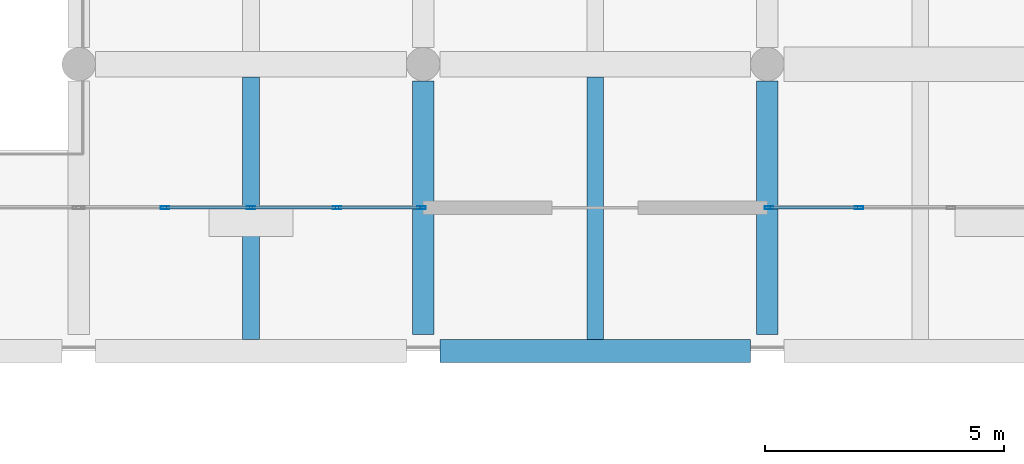
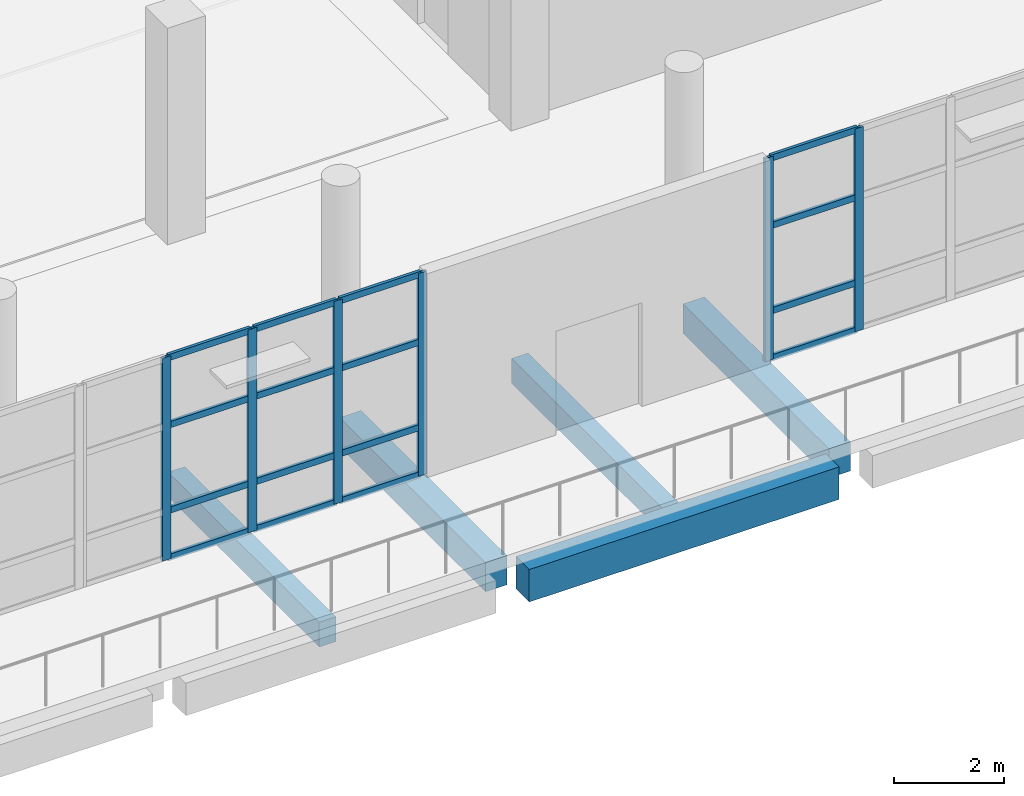
# One storey, part 16 of 79: 22 members, 5 beams, 2 elements without a shape of their own.
"""IFC4 building model written with IfcOpenShell, lengths in metres."""

from ifc_helpers import new_model, si_unit, direction, frame, origin, origin_2d, place, context, subcontext, project, spatial, rectangle, hollow_rectangle, extrude, material, material_profile, profile_set, type_object, element, aggregate, save


model = new_model("IFC4")

# Units and contexts
model_context = context("Model", 3, precision=1e-05, world=origin(), true_north=direction((0.0, 1.0)))
body_context = subcontext(model_context, "Body", "Model", "MODEL_VIEW")
ifc_project = project(units=[si_unit("LENGTHUNIT", "METRE"), si_unit("AREAUNIT", "SQUARE_METRE"), si_unit("VOLUMEUNIT", "CUBIC_METRE"), si_unit("PLANEANGLEUNIT", "RADIAN"), si_unit("MASSUNIT", "GRAM", prefix="KILO")], contexts=[model_context])

# Site, building, storey
site_placement = place(None, origin())
site = spatial("IfcSite", under=ifc_project, at=site_placement, CompositionType="ELEMENT")
building_placement = place(site_placement, origin())
building = spatial("IfcBuilding", under=site, at=building_placement, Name="Pellamere Symphony Hall", CompositionType="ELEMENT")
storey_placement = place(building_placement, frame((0.0, 0.0, 10.199951171875)))
storey = spatial("IfcBuildingStorey", under=building, at=storey_placement, Name="L02", CompositionType="ELEMENT", Elevation=10.199951171875)

# Curtain wall, members
ifc_material_1 = material(Name="Thermally Broken Anodised Aluminium 6063-T6 Curtain Wall", Category="aluminium")
curtain_wall_type = type_object("IfcCurtainWallType", Name="Curtain Wall CW-02 (Winter-Garden South Concourse Curtain Wall)", PredefinedType="NOTDEFINED", material=ifc_material_1)
curtain_wall_1_placement = place(storey_placement, origin())
curtain_wall_1 = element("IfcCurtainWall", 1, at=curtain_wall_1_placement, inside=storey, type_object=curtain_wall_type, Name="Winter-Garden South Curtain Wall (L02 Bay 8)", PredefinedType="NOTDEFINED")
ifc_material_2 = material(Name="Anodised Architectural Aluminium 6063-T6", Category="aluminium")
ifc_material_profile_1 = material_profile(ifc_material_2, hollow_rectangle(XDim=0.06494140625, YDim=0.179931640625, WallThickness=0.00390625, at=origin_2d()), Name="ALU-M65X180X4")
ifc_profile_set_1 = profile_set([ifc_material_profile_1], Name="Anodised Architectural Aluminium 6063-T6")
member_type_1 = type_object("IfcMemberType", Name="Curtain Wall Mullion ML-02 ALU-M65X180X4", PredefinedType="MULLION", material=ifc_profile_set_1)
member_1_placement = place(storey_placement, frame((96.60009765625, 21.0, 0.0), z_axis=(0.0, 0.0, 1.0), x_axis=(0.0, 1.0, 0.0)))
member_1 = element("IfcMember", 2, at=member_1_placement, type_object=member_type_1, Name="CW2-083 crystal mullion 2", PredefinedType="MULLION", context=body_context, shape_type="SweptSolid", body=[
    extrude(hollow_rectangle(XDim=0.06494140625, YDim=0.179931640625, WallThickness=0.00390625, at=origin_2d()), origin(), (0.0, 0.0, 1.0), 4.5),
])
member_2_placement = place(storey_placement, frame((98.39990234375, 21.0, 0.0), z_axis=(0.0, 0.0, 1.0), x_axis=(0.0, 1.0, 0.0)))
member_2 = element("IfcMember", 3, at=member_2_placement, type_object=member_type_1, Name="CW2-083 crystal mullion 3", PredefinedType="MULLION", context=body_context, shape_type="SweptSolid", body=[
    extrude(hollow_rectangle(XDim=0.06494140625, YDim=0.179931640625, WallThickness=0.00390625, at=origin_2d()), origin(), (0.0, 0.0, 1.0), 4.5),
])
member_3_placement = place(storey_placement, frame((100.199951171875, 21.0, 0.0), z_axis=(0.0, 0.0, 1.0), x_axis=(0.0, 1.0, 0.0)))
member_3 = element("IfcMember", 4, at=member_3_placement, type_object=member_type_1, Name="CW2-083 crystal mullion 4", PredefinedType="MULLION", context=body_context, shape_type="SweptSolid", body=[
    extrude(hollow_rectangle(XDim=0.06494140625, YDim=0.179931640625, WallThickness=0.00390625, at=origin_2d()), origin(), (0.0, 0.0, 1.0), 4.5),
])
member_4_placement = place(storey_placement, frame((101.967529296875, 21.0, 0.0), z_axis=(0.0, 0.0, 1.0), x_axis=(0.0, 1.0, 0.0)))
member_4 = element("IfcMember", 5, at=member_4_placement, type_object=member_type_1, Name="CW2-083 crystal mullion 5", PredefinedType="MULLION", context=body_context, shape_type="SweptSolid", body=[
    extrude(hollow_rectangle(XDim=0.06494140625, YDim=0.179931640625, WallThickness=0.00390625, at=origin_2d()), origin(), (0.0, 0.0, 1.0), 4.5),
])

curtain_wall_2_placement = place(storey_placement, origin())
curtain_wall_2 = element("IfcCurtainWall", 6, at=curtain_wall_2_placement, inside=storey, type_object=curtain_wall_type, Name="Winter-Garden South Curtain Wall (L02 Bay 10)", PredefinedType="NOTDEFINED")
member_5_placement = place(storey_placement, frame((109.232421875, 21.0, 0.0), z_axis=(0.0, 0.0, 1.0), x_axis=(0.0, 1.0, 0.0)))
member_5 = element("IfcMember", 7, at=member_5_placement, type_object=member_type_1, Name="CW2-084 crystal mullion 1", PredefinedType="MULLION", context=body_context, shape_type="SweptSolid", body=[
    extrude(hollow_rectangle(XDim=0.06494140625, YDim=0.179931640625, WallThickness=0.00390625, at=origin_2d()), origin(), (0.0, 0.0, 1.0), 4.5),
])
member_6_placement = place(storey_placement, frame((111.1201171875, 21.0, 0.0), z_axis=(0.0, 0.0, 1.0), x_axis=(0.0, 1.0, 0.0)))
member_6 = element("IfcMember", 8, at=member_6_placement, type_object=member_type_1, Name="CW2-084 crystal mullion 2", PredefinedType="MULLION", context=body_context, shape_type="SweptSolid", body=[
    extrude(hollow_rectangle(XDim=0.06494140625, YDim=0.179931640625, WallThickness=0.00390625, at=origin_2d()), origin(), (0.0, 0.0, 1.0), 4.5),
])

# Member
ifc_material_profile_2 = material_profile(ifc_material_2, hollow_rectangle(XDim=0.06494140625, YDim=0.139892578125, WallThickness=0.00390625, at=origin_2d()), Name="ALU-T65X140X4")
ifc_profile_set_2 = profile_set([ifc_material_profile_2], Name="Anodised Architectural Aluminium 6063-T6")
member_type_2 = type_object("IfcMemberType", Name="Curtain Wall Transom TR-02 ALU-T65X140X4", PredefinedType="USERDEFINED", material=ifc_profile_set_2)
member_7_placement = place(storey_placement, frame((96.632568359375, 21.0, 0.032470703125), z_axis=(1.0, 0.0, 0.0), x_axis=(0.0, 1.0, 0.0)))
member_7 = element("IfcMember", 9, at=member_7_placement, type_object=member_type_2, Name="CW2-083 crystal transom 2.1", ObjectType="TRANSOM", PredefinedType="USERDEFINED", context=body_context, shape_type="SweptSolid", body=[
    extrude(hollow_rectangle(XDim=0.06494140625, YDim=0.139892578125, WallThickness=0.00390625, at=origin_2d()), origin(), (0.0, 0.0, 1.0), 1.73486328125),
])

member_8_placement = place(storey_placement, frame((96.632568359375, 21.0, 1.080078125), z_axis=(1.0, 0.0, 0.0), x_axis=(0.0, 1.0, 0.0)))
member_8 = element("IfcMember", 10, at=member_8_placement, type_object=member_type_2, Name="CW2-083 crystal transom 2.2", ObjectType="TRANSOM", PredefinedType="USERDEFINED", context=body_context, shape_type="SweptSolid", body=[
    extrude(hollow_rectangle(XDim=0.06494140625, YDim=0.139892578125, WallThickness=0.00390625, at=origin_2d()), origin(), (0.0, 0.0, 1.0), 1.73486328125),
])

member_9_placement = place(storey_placement, frame((96.632568359375, 21.0, 2.969970703125), z_axis=(1.0, 0.0, 0.0), x_axis=(0.0, 1.0, 0.0)))
member_9 = element("IfcMember", 11, at=member_9_placement, type_object=member_type_2, Name="CW2-083 crystal transom 2.3", ObjectType="TRANSOM", PredefinedType="USERDEFINED", context=body_context, shape_type="SweptSolid", body=[
    extrude(hollow_rectangle(XDim=0.06494140625, YDim=0.139892578125, WallThickness=0.00390625, at=origin_2d()), origin(), (0.0, 0.0, 1.0), 1.73486328125),
])

member_10_placement = place(storey_placement, frame((96.632568359375, 21.0, 4.467529296875), z_axis=(1.0, 0.0, 0.0), x_axis=(0.0, 1.0, 0.0)))
member_10 = element("IfcMember", 12, at=member_10_placement, type_object=member_type_2, Name="CW2-083 crystal transom 2.4", ObjectType="TRANSOM", PredefinedType="USERDEFINED", context=body_context, shape_type="SweptSolid", body=[
    extrude(hollow_rectangle(XDim=0.06494140625, YDim=0.139892578125, WallThickness=0.00390625, at=origin_2d()), origin(), (0.0, 0.0, 1.0), 1.73486328125),
])

member_11_placement = place(storey_placement, frame((98.4326171875, 21.0, 0.032470703125), z_axis=(1.0, 0.0, 0.0), x_axis=(0.0, 1.0, 0.0)))
member_11 = element("IfcMember", 13, at=member_11_placement, type_object=member_type_2, Name="CW2-083 crystal transom 3.1", ObjectType="TRANSOM", PredefinedType="USERDEFINED", context=body_context, shape_type="SweptSolid", body=[
    extrude(hollow_rectangle(XDim=0.06494140625, YDim=0.139892578125, WallThickness=0.00390625, at=origin_2d()), origin(), (0.0, 0.0, 1.0), 1.73486328125),
])

member_12_placement = place(storey_placement, frame((98.4326171875, 21.0, 1.080078125), z_axis=(1.0, 0.0, 0.0), x_axis=(0.0, 1.0, 0.0)))
member_12 = element("IfcMember", 14, at=member_12_placement, type_object=member_type_2, Name="CW2-083 crystal transom 3.2", ObjectType="TRANSOM", PredefinedType="USERDEFINED", context=body_context, shape_type="SweptSolid", body=[
    extrude(hollow_rectangle(XDim=0.06494140625, YDim=0.139892578125, WallThickness=0.00390625, at=origin_2d()), origin(), (0.0, 0.0, 1.0), 1.73486328125),
])

member_13_placement = place(storey_placement, frame((98.4326171875, 21.0, 2.969970703125), z_axis=(1.0, 0.0, 0.0), x_axis=(0.0, 1.0, 0.0)))
member_13 = element("IfcMember", 15, at=member_13_placement, type_object=member_type_2, Name="CW2-083 crystal transom 3.3", ObjectType="TRANSOM", PredefinedType="USERDEFINED", context=body_context, shape_type="SweptSolid", body=[
    extrude(hollow_rectangle(XDim=0.06494140625, YDim=0.139892578125, WallThickness=0.00390625, at=origin_2d()), origin(), (0.0, 0.0, 1.0), 1.73486328125),
])

member_14_placement = place(storey_placement, frame((98.4326171875, 21.0, 4.467529296875), z_axis=(1.0, 0.0, 0.0), x_axis=(0.0, 1.0, 0.0)))
member_14 = element("IfcMember", 16, at=member_14_placement, type_object=member_type_2, Name="CW2-083 crystal transom 3.4", ObjectType="TRANSOM", PredefinedType="USERDEFINED", context=body_context, shape_type="SweptSolid", body=[
    extrude(hollow_rectangle(XDim=0.06494140625, YDim=0.139892578125, WallThickness=0.00390625, at=origin_2d()), origin(), (0.0, 0.0, 1.0), 1.73486328125),
])

member_15_placement = place(storey_placement, frame((100.232421875, 21.0, 0.032470703125), z_axis=(1.0, 0.0, 0.0), x_axis=(0.0, 1.0, 0.0)))
member_15 = element("IfcMember", 17, at=member_15_placement, type_object=member_type_2, Name="CW2-083 crystal transom 4.1", ObjectType="TRANSOM", PredefinedType="USERDEFINED", context=body_context, shape_type="SweptSolid", body=[
    extrude(hollow_rectangle(XDim=0.06494140625, YDim=0.139892578125, WallThickness=0.00390625, at=origin_2d()), origin(), (0.0, 0.0, 1.0), 1.70263671875),
])

member_16_placement = place(storey_placement, frame((100.232421875, 21.0, 1.080078125), z_axis=(1.0, 0.0, 0.0), x_axis=(0.0, 1.0, 0.0)))
member_16 = element("IfcMember", 18, at=member_16_placement, type_object=member_type_2, Name="CW2-083 crystal transom 4.2", ObjectType="TRANSOM", PredefinedType="USERDEFINED", context=body_context, shape_type="SweptSolid", body=[
    extrude(hollow_rectangle(XDim=0.06494140625, YDim=0.139892578125, WallThickness=0.00390625, at=origin_2d()), origin(), (0.0, 0.0, 1.0), 1.70263671875),
])

member_17_placement = place(storey_placement, frame((100.232421875, 21.0, 2.969970703125), z_axis=(1.0, 0.0, 0.0), x_axis=(0.0, 1.0, 0.0)))
member_17 = element("IfcMember", 19, at=member_17_placement, type_object=member_type_2, Name="CW2-083 crystal transom 4.3", ObjectType="TRANSOM", PredefinedType="USERDEFINED", context=body_context, shape_type="SweptSolid", body=[
    extrude(hollow_rectangle(XDim=0.06494140625, YDim=0.139892578125, WallThickness=0.00390625, at=origin_2d()), origin(), (0.0, 0.0, 1.0), 1.70263671875),
])

member_18_placement = place(storey_placement, frame((100.232421875, 21.0, 4.467529296875), z_axis=(1.0, 0.0, 0.0), x_axis=(0.0, 1.0, 0.0)))
member_18 = element("IfcMember", 20, at=member_18_placement, type_object=member_type_2, Name="CW2-083 crystal transom 4.4", ObjectType="TRANSOM", PredefinedType="USERDEFINED", context=body_context, shape_type="SweptSolid", body=[
    extrude(hollow_rectangle(XDim=0.06494140625, YDim=0.139892578125, WallThickness=0.00390625, at=origin_2d()), origin(), (0.0, 0.0, 1.0), 1.70263671875),
])

aggregate(curtain_wall_1, [member_1, member_2, member_3, member_4, member_7, member_8, member_9, member_10, member_11, member_12, member_13, member_14, member_15, member_16, member_17, member_18])

member_19_placement = place(storey_placement, frame((109.264892578125, 21.0, 0.032470703125), z_axis=(1.0, 0.0, 0.0), x_axis=(0.0, 1.0, 0.0)))
member_19 = element("IfcMember", 21, at=member_19_placement, type_object=member_type_2, Name="CW2-084 crystal transom 1.1", ObjectType="TRANSOM", PredefinedType="USERDEFINED", context=body_context, shape_type="SweptSolid", body=[
    extrude(hollow_rectangle(XDim=0.06494140625, YDim=0.139892578125, WallThickness=0.00390625, at=origin_2d()), origin(), (0.0, 0.0, 1.0), 1.822509765625),
])

member_20_placement = place(storey_placement, frame((109.264892578125, 21.0, 1.080078125), z_axis=(1.0, 0.0, 0.0), x_axis=(0.0, 1.0, 0.0)))
member_20 = element("IfcMember", 22, at=member_20_placement, type_object=member_type_2, Name="CW2-084 crystal transom 1.2", ObjectType="TRANSOM", PredefinedType="USERDEFINED", context=body_context, shape_type="SweptSolid", body=[
    extrude(hollow_rectangle(XDim=0.06494140625, YDim=0.139892578125, WallThickness=0.00390625, at=origin_2d()), origin(), (0.0, 0.0, 1.0), 1.822509765625),
])

member_21_placement = place(storey_placement, frame((109.264892578125, 21.0, 2.969970703125), z_axis=(1.0, 0.0, 0.0), x_axis=(0.0, 1.0, 0.0)))
member_21 = element("IfcMember", 23, at=member_21_placement, type_object=member_type_2, Name="CW2-084 crystal transom 1.3", ObjectType="TRANSOM", PredefinedType="USERDEFINED", context=body_context, shape_type="SweptSolid", body=[
    extrude(hollow_rectangle(XDim=0.06494140625, YDim=0.139892578125, WallThickness=0.00390625, at=origin_2d()), origin(), (0.0, 0.0, 1.0), 1.822509765625),
])

member_22_placement = place(storey_placement, frame((109.264892578125, 21.0, 4.467529296875), z_axis=(1.0, 0.0, 0.0), x_axis=(0.0, 1.0, 0.0)))
member_22 = element("IfcMember", 24, at=member_22_placement, type_object=member_type_2, Name="CW2-084 crystal transom 1.4", ObjectType="TRANSOM", PredefinedType="USERDEFINED", context=body_context, shape_type="SweptSolid", body=[
    extrude(hollow_rectangle(XDim=0.06494140625, YDim=0.139892578125, WallThickness=0.00390625, at=origin_2d()), origin(), (0.0, 0.0, 1.0), 1.822509765625),
])

aggregate(curtain_wall_2, [member_5, member_6, member_19, member_20, member_21, member_22])

# Beams
ifc_material_3 = material(Name="Concrete 40 MPa", Category="concrete")
ifc_material_profile_3 = material_profile(ifc_material_3, rectangle(XDim=0.449951171875, YDim=0.64990234375, at=origin_2d()), Name="RC 450x650")
ifc_profile_set_3 = profile_set([ifc_material_profile_3], Name="Concrete 40 MPa")
beam_type_1 = type_object("IfcBeamType", Name="RC CB-08 450x650", PredefinedType="BEAM", material=ifc_profile_set_3)
for number, where, z_axis, x_axis, name in (
    (25, (102.0, 18.35009765625, -0.60498046875), (0.0, 1.0, 0.0), (-1.0, 0.0, 0.0), "Girder CB-08-Y1304 (L02)"),
    (26, (109.199951171875, 18.35009765625, -0.60498046875), (0.0, 1.0, 0.0), (-1.0, 0.0, 0.0), "Girder CB-08-Y1313 (L02)"),
):
    element("IfcBeam", number, at=place(storey_placement, frame(where, z_axis=z_axis, x_axis=x_axis)), inside=storey, type_object=beam_type_1, Name=name, PredefinedType="BEAM", context=body_context, shape_type="SweptSolid", body=[
        extrude(rectangle(XDim=0.449951171875, YDim=0.64990234375, at=origin_2d()), origin(), (0.0, 0.0, 1.0), 5.2998046875),
    ])
ifc_material_4 = material(Name="Concrete 35 MPa", Category="concrete")
ifc_material_profile_4 = material_profile(ifc_material_4, rectangle(XDim=0.35009765625, YDim=0.550048828125, at=origin_2d()), Name="RC 350x550")
ifc_profile_set_4 = profile_set([ifc_material_profile_4], Name="Concrete 35 MPa")
beam_type_2 = type_object("IfcBeamType", Name="RC CB-10 350x550", PredefinedType="BEAM", material=ifc_profile_set_4)
for number, where, z_axis, x_axis, name in (
    (27, (98.39990234375, 18.239990234375, -0.570068359375), (0.0, 1.0, 0.0), (-1.0, 0.0, 0.0), "Secondary Floor Beam CB-10-M1202 (L02)"),
    (28, (105.60009765625, 18.239990234375, -0.570068359375), (0.0, 1.0, 0.0), (-1.0, 0.0, 0.0), "Secondary Floor Beam CB-10-M1302 (L02)"),
):
    element("IfcBeam", number, at=place(storey_placement, frame(where, z_axis=z_axis, x_axis=x_axis)), inside=storey, type_object=beam_type_2, Name=name, PredefinedType="BEAM", context=body_context, shape_type="SweptSolid", body=[
        extrude(rectangle(XDim=0.35009765625, YDim=0.550048828125, at=origin_2d()), origin(), (0.0, 0.0, 1.0), 5.489990234375),
    ])
ifc_material_profile_5 = material_profile(ifc_material_3, rectangle(XDim=0.47998046875, YDim=0.719970703125, at=origin_2d()), Name="RC 480x720")
ifc_profile_set_5 = profile_set([ifc_material_profile_5], Name="Concrete 40 MPa")
beam_type_3 = type_object("IfcBeamType", Name="RC CB-14 480x720", PredefinedType="SPANDREL", material=ifc_profile_set_5)
beam_placement = place(storey_placement, frame((102.35009765625, 18.0, -0.639892578125), z_axis=(1.0, 0.0, 0.0), x_axis=(0.0, 1.0, 0.0)))
element("IfcBeam", 29, at=beam_placement, inside=storey, type_object=beam_type_3, Name="Girder CB-14-X1048 (L02)", PredefinedType="SPANDREL", context=body_context, shape_type="SweptSolid", body=[
    extrude(rectangle(XDim=0.47998046875, YDim=0.719970703125, at=origin_2d()), origin(), (0.0, 0.0, 1.0), 6.5),
])

save(model, "model.ifc")
